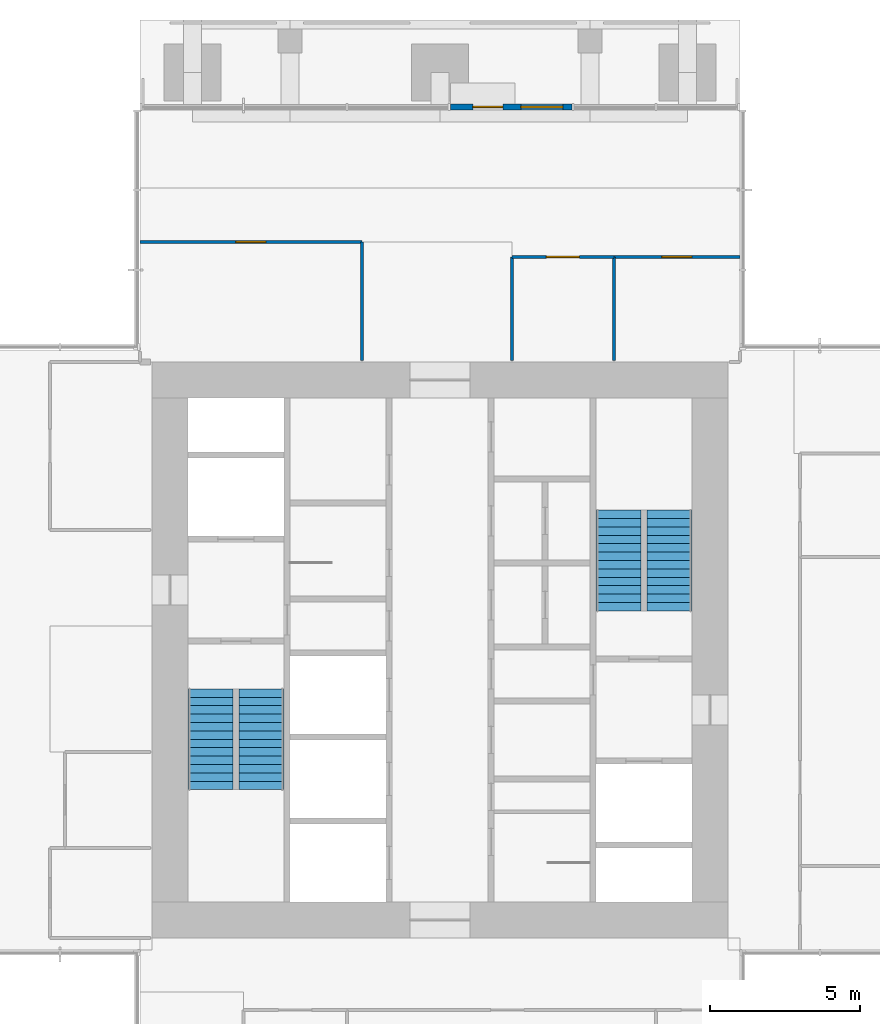
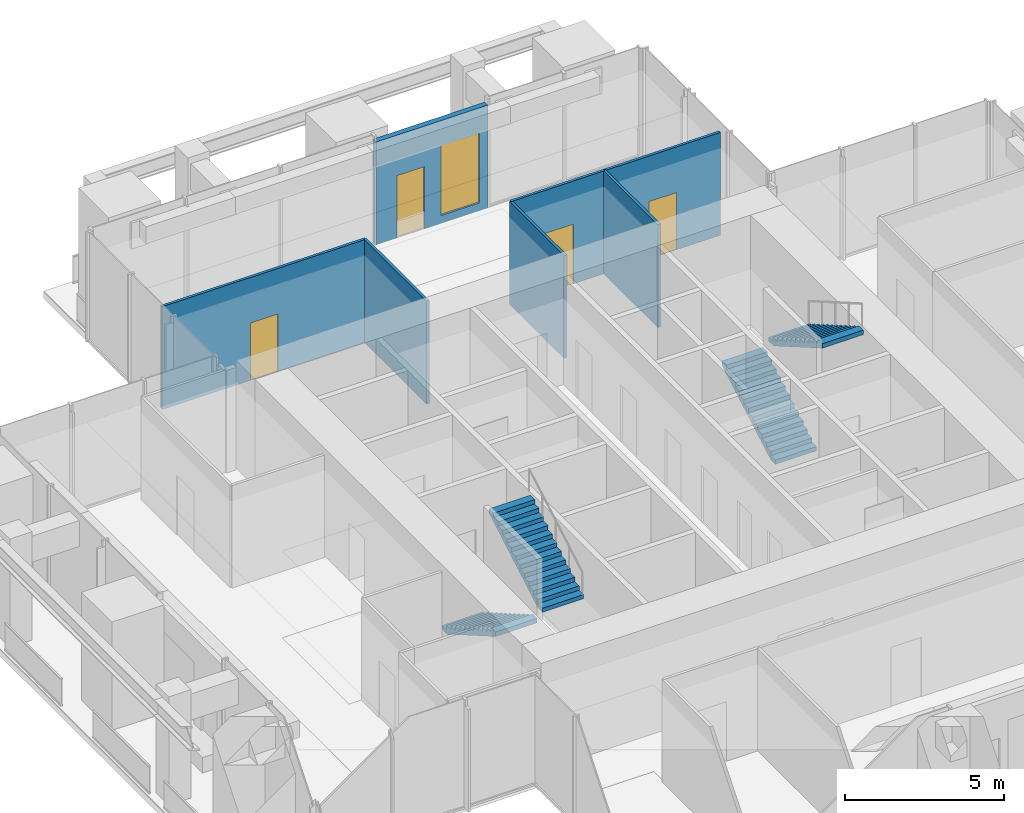
# One storey, part 9 of 12: 7 walls, 4 doors, 4 stair flights, 1 window, 5 openings, 2 elements without a shape of their own.
"""IFC4 building model written with IfcOpenShell, lengths in metres."""

from ifc_helpers import new_model, si_unit, direction, frame, frame_2d, origin, place, context, subcontext, project, spatial, polyline, rectangle, outline, extrude, material, layer, layer_set, type_object, element, fill, aggregate, save


model = new_model("IFC4")

# Units and contexts
model_context = context("Model", 3, precision=1e-05, world=origin(), true_north=direction((0.0, 1.0)))
body_context = subcontext(model_context, "Body", "Model", "MODEL_VIEW")
ifc_project = project(units=[si_unit("LENGTHUNIT", "METRE"), si_unit("AREAUNIT", "SQUARE_METRE"), si_unit("VOLUMEUNIT", "CUBIC_METRE"), si_unit("PLANEANGLEUNIT", "RADIAN"), si_unit("MASSUNIT", "GRAM", prefix="KILO")], contexts=[model_context])

# Site, building, storey
site_placement = place(None, origin())
site = spatial("IfcSite", under=ifc_project, at=site_placement, CompositionType="ELEMENT")
building_placement = place(site_placement, origin())
building = spatial("IfcBuilding", under=site, at=building_placement, Name="Svetlomir Tower", CompositionType="ELEMENT")
storey_placement = place(building_placement, frame((0.0, 0.0, 244.0)))
storey = spatial("IfcBuildingStorey", under=building, at=storey_placement, Name="L58", CompositionType="ELEMENT", Elevation=244.0)

# Wall, openings, door, window
ifc_material_1 = material(Name="Bronze anodised aluminium glazed screen", Category="aluminium")
ifc_layer_1 = layer(ifc_material_1, 0.199951171875)
ifc_layer_set_1 = layer_set([ifc_layer_1], Name="Bronze anodised aluminium glazed screen")
wall_type_1 = type_object("IfcWallType", Name="BALCONY SCREEN WALL 200", PredefinedType="USERDEFINED", material=ifc_layer_set_1)
wall_1_placement = place(storey_placement, frame((25.39990234375, 39.10009765625, 0.0), z_axis=(0.0, 0.0, 1.0), x_axis=(-1.0, 0.0, 0.0)))
wall_1 = element("IfcWall", 1, at=wall_1_placement, inside=storey, type_object=wall_type_1, Name="Balcony screen N", ObjectType="GLAZED SCREEN", PredefinedType="USERDEFINED", context=body_context, shape_type="SweptSolid", body=[
    extrude(rectangle(XDim=4.0498046875, YDim=0.199951171875, at=frame_2d((2.02490234375, 0.0))), origin(), (0.0, 0.0, 1.0), 3.949951171875),
])
opening_1_placement = place(wall_1_placement, frame((2.300048828125, 0.0, 0.0)))
opening_1 = element("IfcOpeningElement", 2, at=opening_1_placement, cuts=wall_1, Name="Opening BD", PredefinedType="OPENING", context=body_context, shape_type="SweptSolid", body=[
    extrude(rectangle(XDim=1.0, YDim=2.39990234375, at=frame_2d((0.5, 1.199951171875))), frame((0.0, 0.10986328125, 0.0), z_axis=(0.0, -1.0, 0.0), x_axis=(1.0, 0.0, 0.0)), (0.0, 0.0, 1.0), 0.219970703125),
])
opening_2_placement = place(wall_1_placement, frame((0.300048828125, 0.0, 0.300048828125)))
opening_2 = element("IfcOpeningElement", 3, at=opening_2_placement, cuts=wall_1, Name="Opening WS2", PredefinedType="OPENING", context=body_context, shape_type="SweptSolid", body=[
    extrude(rectangle(XDim=1.39990234375, YDim=2.699951171875, at=frame_2d((0.699951171875, 1.35009765625))), frame((0.0, 0.10986328125, 0.0), z_axis=(0.0, -1.0, 0.0), x_axis=(1.0, 0.0, 0.0)), (0.0, 0.0, 1.0), 0.219970703125),
])
ifc_material_2 = material(Name="Bronze anodised aluminium glazed door", Category="aluminium")
door_type_1 = type_object("IfcDoorType", Name="BALCONY DOOR BD 1000x2400", OperationType="SINGLE_SWING_LEFT", PredefinedType="DOOR", material=ifc_material_2)
door_1_placement = place(opening_1_placement, origin())
door_1 = element("IfcDoor", 4, at=door_1_placement, inside=storey, type_object=door_type_1, Name="Balcony screen N door", OperationType="SINGLE_SWING_LEFT", OverallHeight=2.39990234375, OverallWidth=1.0, PredefinedType="DOOR", context=body_context, shape_type="SweptSolid", body=[
    extrude(rectangle(XDim=1.0, YDim=2.39990234375, at=frame_2d((0.5, 1.199951171875))), frame((0.0, 0.02490234375, 0.0), z_axis=(0.0, -1.0, 0.0), x_axis=(1.0, 0.0, 0.0)), (0.0, 0.0, 1.0), 0.050048828125),
])
fill(opening_1, door_1)
ifc_material_3 = material(Name="Bronze anodised aluminium window", Category="aluminium")
window_type = type_object("IfcWindowType", Name="SCREEN WINDOW WS2 1400x2700", PartitioningType="SINGLE_PANEL", PredefinedType="WINDOW", material=ifc_material_3)
window_placement = place(opening_2_placement, origin())
window = element("IfcWindow", 5, at=window_placement, inside=storey, type_object=window_type, Name="Balcony screen N window 1", OverallHeight=2.699951171875, OverallWidth=1.39990234375, PartitioningType="SINGLE_PANEL", PredefinedType="WINDOW", context=body_context, shape_type="SweptSolid", body=[
    extrude(rectangle(XDim=1.39990234375, YDim=2.699951171875, at=frame_2d((0.699951171875, 1.35009765625))), frame((0.0, 0.030029296875, 0.0), z_axis=(0.0, -1.0, 0.0), x_axis=(1.0, 0.0, 0.0)), (0.0, 0.0, 1.0), 0.06005859375),
])
fill(opening_2, window)

# Wall, opening, door
ifc_material_4 = material(Name="Framed laminated glass partition", Category="glass")
ifc_layer_2 = layer(ifc_material_4, 0.10009765625)
ifc_layer_set_2 = layer_set([ifc_layer_2], Name="Framed laminated glass partition")
wall_type_2 = type_object("IfcWallType", Name="GLAZED PARTITION 100", PredefinedType="PARTITIONING", material=ifc_layer_set_2)
wall_2_placement = place(storey_placement, frame((11.0, 34.60009765625, 0.0), z_axis=(0.0, 0.0, 1.0), x_axis=(1.0, 0.0, 0.0)))
wall_2 = element("IfcWall", 6, at=wall_2_placement, inside=storey, type_object=wall_type_2, Name="Glazed partition L58", PredefinedType="PARTITIONING", context=body_context, shape_type="SweptSolid", body=[
    extrude(rectangle(XDim=7.39990234375, YDim=0.10009765625, at=frame_2d((3.699951171875, 0.0))), origin(), (0.0, 0.0, 1.0), 3.949951171875),
])
opening_3_placement = place(wall_2_placement, frame((3.199951171875, 0.0, 0.0)))
opening_3 = element("IfcOpeningElement", 7, at=opening_3_placement, cuts=wall_2, Name="Opening DR", PredefinedType="OPENING", context=body_context, shape_type="SweptSolid", body=[
    extrude(rectangle(XDim=1.0, YDim=2.199951171875, at=frame_2d((0.5, 1.10009765625))), frame((0.0, 0.06005859375, 0.0), z_axis=(0.0, -1.0, 0.0), x_axis=(1.0, 0.0, 0.0)), (0.0, 0.0, 1.0), 0.1201171875),
])
ifc_material_5 = material(Name="Timber door, glazed side light", Category="wood")
door_type_2 = type_object("IfcDoorType", Name="DOOR DR 1000x2200", OperationType="SINGLE_SWING_LEFT", PredefinedType="DOOR", material=ifc_material_5)
door_2_placement = place(opening_3_placement, origin())
door_2 = element("IfcDoor", 8, at=door_2_placement, inside=storey, type_object=door_type_2, Name="Team room, 10 seats door L58", OperationType="SINGLE_SWING_RIGHT", OverallHeight=2.199951171875, OverallWidth=1.0, PredefinedType="DOOR", context=body_context, shape_type="SweptSolid", body=[
    extrude(rectangle(XDim=1.0, YDim=2.199951171875, at=frame_2d((0.5, 1.10009765625))), frame((0.0, 0.02490234375, 0.0), z_axis=(0.0, -1.0, 0.0), x_axis=(1.0, 0.0, 0.0)), (0.0, 0.0, 1.0), 0.050048828125),
])
fill(opening_3, door_2)

# Walls
wall_3_placement = place(storey_placement, frame((18.39990234375, 30.64990234375, 0.0), z_axis=(0.0, 0.0, 1.0), x_axis=(0.0, 1.0, 0.0)))
element("IfcWall", 9, at=wall_3_placement, inside=storey, type_object=wall_type_2, Name="Glazed partition L58", PredefinedType="PARTITIONING", context=body_context, shape_type="SweptSolid", body=[
    extrude(rectangle(XDim=3.9501953125, YDim=0.10009765625, at=frame_2d((1.97509765625, 0.0))), origin(), (0.0, 0.0, 1.0), 3.949951171875),
])
wall_4_placement = place(storey_placement, frame((23.39990234375, 30.64990234375, 0.0), z_axis=(0.0, 0.0, 1.0), x_axis=(0.0, 1.0, 0.0)))
element("IfcWall", 10, at=wall_4_placement, inside=storey, type_object=wall_type_2, Name="Glazed partition L58", PredefinedType="PARTITIONING", context=body_context, shape_type="SweptSolid", body=[
    extrude(rectangle(XDim=3.4501953125, YDim=0.10009765625, at=frame_2d((1.72509765625, 0.0))), origin(), (0.0, 0.0, 1.0), 3.949951171875),
])

# Wall, opening, door
wall_5_placement = place(storey_placement, frame((23.39990234375, 34.10009765625, 0.0), z_axis=(0.0, 0.0, 1.0), x_axis=(1.0, 0.0, 0.0)))
wall_5 = element("IfcWall", 11, at=wall_5_placement, inside=storey, type_object=wall_type_2, Name="Glazed partition L58", PredefinedType="PARTITIONING", context=body_context, shape_type="SweptSolid", body=[
    extrude(rectangle(XDim=3.400146484375, YDim=0.10009765625, at=frame_2d((1.7001953125, 0.0))), origin(), (0.0, 0.0, 1.0), 3.949951171875),
])
opening_4_placement = place(wall_5_placement, frame((1.14990234375, 0.0, 0.0)))
opening_4 = element("IfcOpeningElement", 12, at=opening_4_placement, cuts=wall_5, Name="Opening DE", PredefinedType="OPENING", context=body_context, shape_type="SweptSolid", body=[
    extrude(rectangle(XDim=1.10009765625, YDim=2.300048828125, at=frame_2d((0.550048828125, 1.14990234375))), frame((0.0, 0.06005859375, 0.0), z_axis=(0.0, -1.0, 0.0), x_axis=(1.0, 0.0, 0.0)), (0.0, 0.0, 1.0), 0.1201171875),
])
ifc_material_6 = material(Name="Walnut veneered timber door", Category="wood")
door_type_3 = type_object("IfcDoorType", Name="DOOR DE 1100x2300", OperationType="SINGLE_SWING_LEFT", PredefinedType="DOOR", material=ifc_material_6)
door_3_placement = place(opening_4_placement, origin())
door_3 = element("IfcDoor", 13, at=door_3_placement, inside=storey, type_object=door_type_3, Name="Executive pantry door L58", OperationType="SINGLE_SWING_RIGHT", OverallHeight=2.300048828125, OverallWidth=1.10009765625, PredefinedType="DOOR", context=body_context, shape_type="SweptSolid", body=[
    extrude(rectangle(XDim=1.10009765625, YDim=2.300048828125, at=frame_2d((0.550048828125, 1.14990234375))), frame((0.0, 0.02490234375, 0.0), z_axis=(0.0, -1.0, 0.0), x_axis=(1.0, 0.0, 0.0)), (0.0, 0.0, 1.0), 0.050048828125),
])
fill(opening_4, door_3)

# Wall
wall_6_placement = place(storey_placement, frame((26.800048828125, 30.64990234375, 0.0), z_axis=(0.0, 0.0, 1.0), x_axis=(0.0, 1.0, 0.0)))
element("IfcWall", 14, at=wall_6_placement, inside=storey, type_object=wall_type_2, Name="Partition L58", PredefinedType="PARTITIONING", context=body_context, shape_type="SweptSolid", body=[
    extrude(rectangle(XDim=3.4501953125, YDim=0.10009765625, at=frame_2d((1.72509765625, 0.0))), origin(), (0.0, 0.0, 1.0), 3.949951171875),
])

# Wall, opening, door
wall_7_placement = place(storey_placement, frame((26.800048828125, 34.10009765625, 0.0), z_axis=(0.0, 0.0, 1.0), x_axis=(1.0, 0.0, 0.0)))
wall_7 = element("IfcWall", 15, at=wall_7_placement, inside=storey, type_object=wall_type_2, Name="Partition L58", PredefinedType="PARTITIONING", context=body_context, shape_type="SweptSolid", body=[
    extrude(rectangle(XDim=4.199951171875, YDim=0.10009765625, at=frame_2d((2.10009765625, 0.0))), origin(), (0.0, 0.0, 1.0), 3.949951171875),
])
opening_5_placement = place(wall_7_placement, frame((1.60009765625, 0.0, 0.0)))
opening_5 = element("IfcOpeningElement", 16, at=opening_5_placement, cuts=wall_7, Name="Opening DR", PredefinedType="OPENING", context=body_context, shape_type="SweptSolid", body=[
    extrude(rectangle(XDim=1.0, YDim=2.199951171875, at=frame_2d((0.5, 1.10009765625))), frame((0.0, 0.06005859375, 0.0), z_axis=(0.0, -1.0, 0.0), x_axis=(1.0, 0.0, 0.0)), (0.0, 0.0, 1.0), 0.1201171875),
])
door_4_placement = place(opening_5_placement, origin())
door_4 = element("IfcDoor", 17, at=door_4_placement, inside=storey, type_object=door_type_2, Name="Print and copy room door L58", OperationType="SINGLE_SWING_LEFT", OverallHeight=2.199951171875, OverallWidth=1.0, PredefinedType="DOOR", context=body_context, shape_type="SweptSolid", body=[
    extrude(rectangle(XDim=1.0, YDim=2.199951171875, at=frame_2d((0.5, 1.10009765625))), frame((0.0, 0.02490234375, 0.0), z_axis=(0.0, -1.0, 0.0), x_axis=(1.0, 0.0, 0.0)), (0.0, 0.0, 1.0), 0.050048828125),
])
fill(opening_5, door_4)

# Stair, stair flights
ifc_material_7 = material(Name="Concrete C60/75", Category="concrete")
stair_type = type_object("IfcStairType", Name="EXIT STAIR 3200 RISE 4200", PredefinedType="HALF_TURN_STAIR", material=ifc_material_7)
stair_1_placement = place(storey_placement, origin())
stair_1 = element("IfcStair", 18, at=stair_1_placement, inside=storey, type_object=stair_type, Name="Stair S1 L58 to L59", PredefinedType="HALF_TURN_STAIR")
ifc_material_8 = material(Name="Concrete C60/75", Category="concrete")
stair_flight_type = type_object("IfcStairFlightType", Name="STAIR FLIGHT 1500 OF 13 RISERS", PredefinedType="STRAIGHT", material=ifc_material_8)
stair_flight_1_placement = place(storey_placement, frame((13.35009765625, 19.699951171875, 0.0), z_axis=(0.0, 0.0, 1.0), x_axis=(0.0, -1.0, 0.0)))
stair_flight_1 = element("IfcStairFlight", 19, at=stair_flight_1_placement, type_object=stair_flight_type, Name="S1 flight 1", NumberOfRisers=13, NumberOfTreads=12, PredefinedType="STRAIGHT", RiserHeight=0.161538462, TreadLength=0.28, context=body_context, shape_type="SweptSolid", body=[
    extrude(outline(polyline([(0.0, 0.0), (0.0, 0.16162109375), (0.280029296875, 0.16162109375), (0.280029296875, 0.322998046875), (0.56005859375, 0.322998046875), (0.56005859375, 0.484619140625), (0.840087890625, 0.484619140625), (0.840087890625, 0.646240234375), (1.1201171875, 0.646240234375), (1.1201171875, 0.8076171875), (1.39990234375, 0.8076171875), (1.39990234375, 0.96923828125), (1.679931640625, 0.96923828125), (1.679931640625, 1.130859375), (1.9599609375, 1.130859375), (1.9599609375, 1.292236328125), (2.239990234375, 1.292236328125), (2.239990234375, 1.453857421875), (2.52001953125, 1.453857421875), (2.52001953125, 1.615478515625), (2.800048828125, 1.615478515625), (2.800048828125, 1.77685546875), (3.080078125, 1.77685546875), (3.080078125, 1.9384765625), (3.360107421875, 1.9384765625), (3.360107421875, 2.10009765625), (3.360107421875, 1.765380859375), (0.300048828125, 0.0), (0.0, 0.0)])), frame((0.0, 0.75, 0.0), z_axis=(0.0, -1.0, 0.0), x_axis=(1.0, 0.0, 0.0)), (0.0, 0.0, 1.0), 1.5),
])
stair_flight_2_placement = place(storey_placement, frame((15.050048828125, 16.340087890625, 2.10009765625), z_axis=(0.0, 0.0, 1.0), x_axis=(0.0, 1.0, 0.0)))
stair_flight_2 = element("IfcStairFlight", 20, at=stair_flight_2_placement, type_object=stair_flight_type, Name="S1 flight 2", NumberOfRisers=13, NumberOfTreads=12, PredefinedType="STRAIGHT", RiserHeight=0.161538462, TreadLength=0.28, context=body_context, shape_type="SweptSolid", body=[
    extrude(outline(polyline([(0.0, 0.0), (0.0, 0.16162109375), (0.280029296875, 0.16162109375), (0.280029296875, 0.322998046875), (0.56005859375, 0.322998046875), (0.56005859375, 0.484619140625), (0.840087890625, 0.484619140625), (0.840087890625, 0.646240234375), (1.1201171875, 0.646240234375), (1.1201171875, 0.8076171875), (1.39990234375, 0.8076171875), (1.39990234375, 0.96923828125), (1.679931640625, 0.96923828125), (1.679931640625, 1.130859375), (1.9599609375, 1.130859375), (1.9599609375, 1.292236328125), (2.239990234375, 1.292236328125), (2.239990234375, 1.453857421875), (2.52001953125, 1.453857421875), (2.52001953125, 1.615478515625), (2.800048828125, 1.615478515625), (2.800048828125, 1.77685546875), (3.080078125, 1.77685546875), (3.080078125, 1.9384765625), (3.360107421875, 1.9384765625), (3.360107421875, 2.10009765625), (3.360107421875, 1.765380859375), (0.300048828125, 0.0), (0.0, 0.0)])), frame((0.0, 0.75, 0.0), z_axis=(0.0, -1.0, 0.0), x_axis=(1.0, 0.0, 0.0)), (0.0, 0.0, 1.0), 1.5),
])
aggregate(stair_1, [stair_flight_1, stair_flight_2])

stair_2_placement = place(storey_placement, origin())
stair_2 = element("IfcStair", 21, at=stair_2_placement, inside=storey, type_object=stair_type, Name="Stair S2 L58 to L59", PredefinedType="HALF_TURN_STAIR")
stair_flight_3_placement = place(storey_placement, frame((26.949951171875, 22.300048828125, 0.0), z_axis=(0.0, 0.0, 1.0), x_axis=(0.0, 1.0, 0.0)))
stair_flight_3 = element("IfcStairFlight", 22, at=stair_flight_3_placement, type_object=stair_flight_type, Name="S2 flight 1", NumberOfRisers=13, NumberOfTreads=12, PredefinedType="STRAIGHT", RiserHeight=0.161538462, TreadLength=0.28, context=body_context, shape_type="SweptSolid", body=[
    extrude(outline(polyline([(0.0, 0.0), (0.0, 0.16162109375), (0.280029296875, 0.16162109375), (0.280029296875, 0.322998046875), (0.56005859375, 0.322998046875), (0.56005859375, 0.484619140625), (0.840087890625, 0.484619140625), (0.840087890625, 0.646240234375), (1.1201171875, 0.646240234375), (1.1201171875, 0.8076171875), (1.39990234375, 0.8076171875), (1.39990234375, 0.96923828125), (1.679931640625, 0.96923828125), (1.679931640625, 1.130859375), (1.9599609375, 1.130859375), (1.9599609375, 1.292236328125), (2.239990234375, 1.292236328125), (2.239990234375, 1.453857421875), (2.52001953125, 1.453857421875), (2.52001953125, 1.615478515625), (2.800048828125, 1.615478515625), (2.800048828125, 1.77685546875), (3.080078125, 1.77685546875), (3.080078125, 1.9384765625), (3.360107421875, 1.9384765625), (3.360107421875, 2.10009765625), (3.360107421875, 1.765380859375), (0.300048828125, 0.0), (0.0, 0.0)])), frame((0.0, 0.75, 0.0), z_axis=(0.0, -1.0, 0.0), x_axis=(1.0, 0.0, 0.0)), (0.0, 0.0, 1.0), 1.5),
])
stair_flight_4_placement = place(storey_placement, frame((28.64990234375, 25.659912109375, 2.10009765625), z_axis=(0.0, 0.0, 1.0), x_axis=(0.0, -1.0, 0.0)))
stair_flight_4 = element("IfcStairFlight", 23, at=stair_flight_4_placement, type_object=stair_flight_type, Name="S2 flight 2", NumberOfRisers=13, NumberOfTreads=12, PredefinedType="STRAIGHT", RiserHeight=0.161538462, TreadLength=0.28, context=body_context, shape_type="SweptSolid", body=[
    extrude(outline(polyline([(0.0, 0.0), (0.0, 0.16162109375), (0.280029296875, 0.16162109375), (0.280029296875, 0.322998046875), (0.56005859375, 0.322998046875), (0.56005859375, 0.484619140625), (0.840087890625, 0.484619140625), (0.840087890625, 0.646240234375), (1.1201171875, 0.646240234375), (1.1201171875, 0.8076171875), (1.39990234375, 0.8076171875), (1.39990234375, 0.96923828125), (1.679931640625, 0.96923828125), (1.679931640625, 1.130859375), (1.9599609375, 1.130859375), (1.9599609375, 1.292236328125), (2.239990234375, 1.292236328125), (2.239990234375, 1.453857421875), (2.52001953125, 1.453857421875), (2.52001953125, 1.615478515625), (2.800048828125, 1.615478515625), (2.800048828125, 1.77685546875), (3.080078125, 1.77685546875), (3.080078125, 1.9384765625), (3.360107421875, 1.9384765625), (3.360107421875, 2.10009765625), (3.360107421875, 1.765380859375), (0.300048828125, 0.0), (0.0, 0.0)])), frame((0.0, 0.75, 0.0), z_axis=(0.0, -1.0, 0.0), x_axis=(1.0, 0.0, 0.0)), (0.0, 0.0, 1.0), 1.5),
])
aggregate(stair_2, [stair_flight_3, stair_flight_4])

save(model, "model.ifc")
